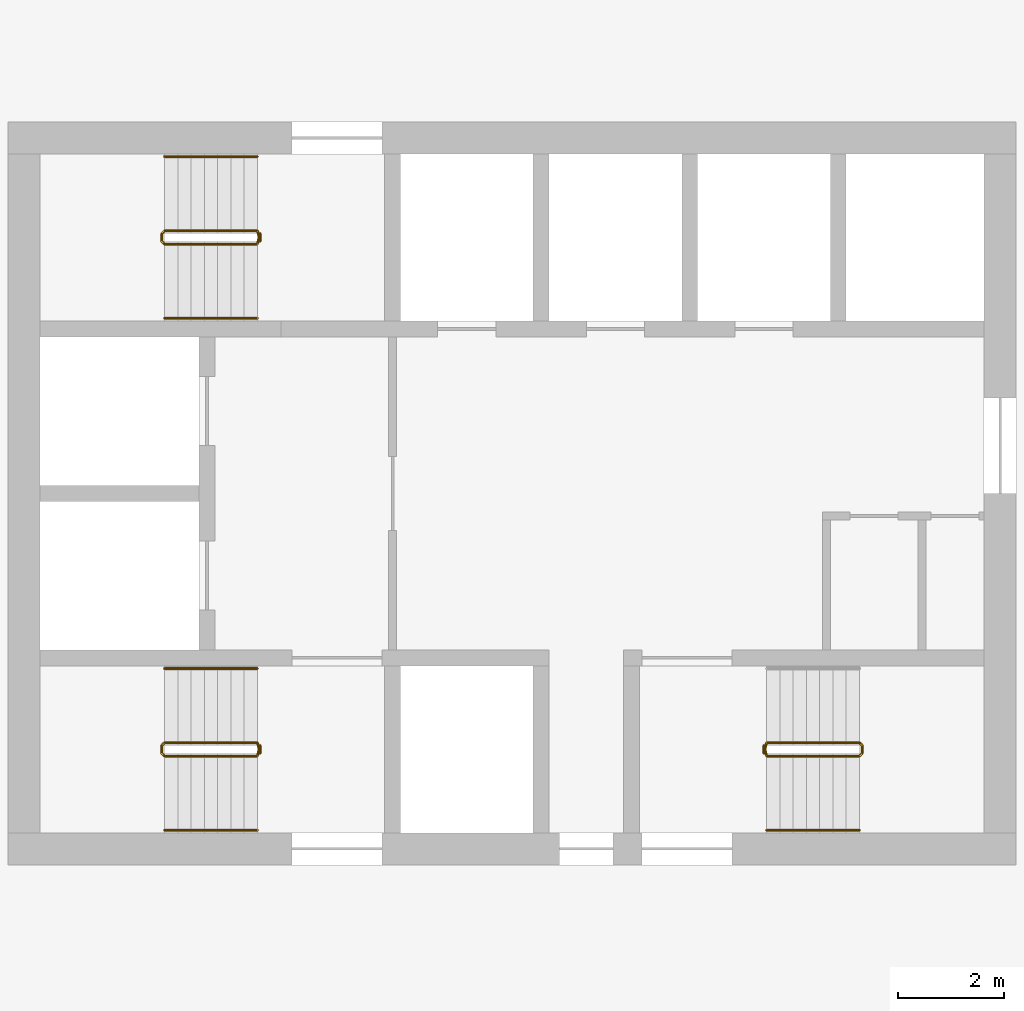
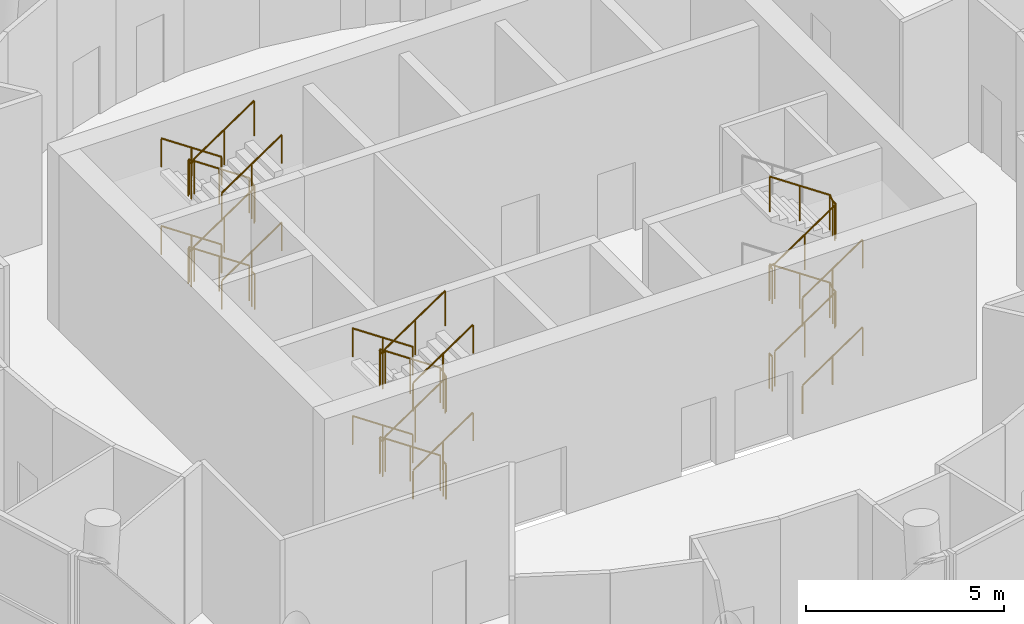
# One storey, part 10 of 11: 16 railings.
"""IFC4 building model written with IfcOpenShell, lengths in metres."""

from ifc_helpers import new_model, si_unit, direction, frame, origin, origin_2d, place, context, subcontext, project, spatial, circle, extrude, material, type_object, element, save


model = new_model("IFC4")

# Units and contexts
model_context = context("Model", 3, precision=1e-05, world=origin(), true_north=direction((0.0, 1.0)))
body_context = subcontext(model_context, "Body", "Model", "MODEL_VIEW")
ifc_project = project(units=[si_unit("LENGTHUNIT", "METRE"), si_unit("AREAUNIT", "SQUARE_METRE"), si_unit("VOLUMEUNIT", "CUBIC_METRE"), si_unit("PLANEANGLEUNIT", "RADIAN"), si_unit("MASSUNIT", "GRAM", prefix="KILO")], contexts=[model_context])

# Site, building, storey
site_placement = place(None, origin())
site = spatial("IfcSite", under=ifc_project, at=site_placement, CompositionType="ELEMENT")
building_placement = place(site_placement, origin())
building = spatial("IfcBuilding", under=site, at=building_placement, Name="Tracery Tower", CompositionType="ELEMENT")
storey_placement = place(building_placement, frame((0.0, 0.0, 330.60009765625)))
storey = spatial("IfcBuildingStorey", under=building, at=storey_placement, Name="L86", CompositionType="ELEMENT", Elevation=330.60009765625)

# Railings
ifc_material_1 = material(Name="Stainless steel and laminated glass", Category="steel")
railing_type_1 = type_object("IfcRailingType", Name="Stair guard 1100", PredefinedType="GUARDRAIL", material=ifc_material_1)
railing_1_placement = place(storey_placement, frame((-4.800048828125, -4.699951171875, 0.168701171875)))
element("IfcRailing", 1, at=railing_1_placement, inside=storey, type_object=railing_type_1, Name="L86 stair ST1 guard 1", PredefinedType="GUARDRAIL", context=body_context, shape_type="SweptSolid", body=[
    extrude(circle(Radius=0.02392578125, at=origin_2d()), frame((0.0, 0.0, 1.076171875), z_axis=(-0.828870122254, 0.0, 0.559441078608), x_axis=(0.0, -1.0, 0.0)), (0.0, 0.0, 1.0), 2.111328125),
    extrude(circle(Radius=0.02392578125, at=origin_2d()), frame((-1.75, 0.0, 2.25732421875), z_axis=(-0.707106781187, -0.707106781187, 0.0), x_axis=(0.707106781187, -0.707106781187, 0.0)), (0.0, 0.0, 1.0), 0.07080078125),
    extrude(circle(Radius=0.02392578125, at=origin_2d()), frame((-1.800048828125, -0.050048828125, 2.25732421875), z_axis=(0.0, -1.0, 0.0), x_axis=(1.0, 0.0, 0.0)), (0.0, 0.0, 1.0), 0.14990234375),
    extrude(circle(Radius=0.02392578125, at=origin_2d()), frame((-1.800048828125, -0.199951171875, 2.25732421875), z_axis=(0.273569069059, -0.273569069059, 0.922127935218), x_axis=(0.707106781187, 0.707106781187, 0.0)), (0.0, 0.0, 1.0), 0.182861328125),
    extrude(circle(Radius=0.02392578125, at=origin_2d()), frame((-1.75, -0.25, 2.42578125), z_axis=(0.828816501605, 0.0, 0.559520514965), x_axis=(0.0, 1.0, 0.0)), (0.0, 0.0, 1.0), 2.111328125),
    extrude(circle(Radius=0.02392578125, at=origin_2d()), frame((0.0, -0.25, 3.607421875), z_axis=(0.242814311512, 0.970072785993, 0.0), x_axis=(-0.970072785993, 0.242814311512, 0.0)), (0.0, 0.0, 1.0), 0.2060546875),
    extrude(circle(Radius=0.02392578125, at=origin_2d()), frame((0.050048828125, -0.050048828125, 3.607421875), z_axis=(0.0, -1.0, 0.0), x_axis=(1.0, 0.0, 0.0)), (0.0, 0.0, 1.0), 0.14990234375),
    extrude(circle(Radius=0.02392578125, at=origin_2d()), frame((0.050048828125, -0.199951171875, 3.607421875), z_axis=(-0.187902113298, 0.750691857518, 0.633367611166), x_axis=(-0.970072785993, -0.242814311512, 0.0)), (0.0, 0.0, 1.0), 0.266357421875),
    extrude(circle(Radius=0.02392578125, at=origin_2d()), frame((0.0, 0.0, 3.77587890625), z_axis=(-0.828870122254, 0.0, 0.559441078608), x_axis=(0.0, -1.0, 0.0)), (0.0, 0.0, 1.0), 2.111328125),
    extrude(circle(Radius=0.02392578125, at=origin_2d()), frame((-1.75, 0.0, 4.95703125), z_axis=(-0.707106781187, -0.707106781187, 0.0), x_axis=(0.707106781187, -0.707106781187, 0.0)), (0.0, 0.0, 1.0), 0.07080078125),
    extrude(circle(Radius=0.02392578125, at=origin_2d()), frame((-1.800048828125, -0.050048828125, 4.95703125), z_axis=(0.0, -1.0, 0.0), x_axis=(1.0, 0.0, 0.0)), (0.0, 0.0, 1.0), 0.14990234375),
    extrude(circle(Radius=0.02392578125, at=origin_2d()), frame((-1.800048828125, -0.199951171875, 4.95703125), z_axis=(0.273232802156, -0.273232802156, 0.922327312645), x_axis=(0.707106781187, 0.707106781187, 0.0)), (0.0, 0.0, 1.0), 0.18310546875),
    extrude(circle(Radius=0.02392578125, at=origin_2d()), frame((-1.75, -0.25, 5.1259765625), z_axis=(0.828870122254, 0.0, 0.559441078608), x_axis=(0.0, 1.0, 0.0)), (0.0, 0.0, 1.0), 2.111328125),
    extrude(circle(Radius=0.02099609375, at=origin_2d()), origin(), (0.0, 0.0, 1.0), 1.052001953125),
    extrude(circle(Radius=0.02099609375, at=origin_2d()), frame((-0.875, 0.0, 0.590576171875)), (0.0, 0.0, 1.0), 1.052001953125),
    extrude(circle(Radius=0.02099609375, at=origin_2d()), frame((-1.75, 0.0, 1.18115234375)), (0.0, 0.0, 1.0), 1.052001953125),
    extrude(circle(Radius=0.02099609375, at=origin_2d()), frame((-1.800048828125, -0.050048828125, 1.18115234375)), (0.0, 0.0, 1.0), 1.052001953125),
    extrude(circle(Radius=0.02099609375, at=origin_2d()), frame((-1.800048828125, -0.199951171875, 1.18115234375)), (0.0, 0.0, 1.0), 1.052001953125),
    extrude(circle(Radius=0.02099609375, at=origin_2d()), frame((-1.75, -0.25, 1.349853515625)), (0.0, 0.0, 1.0), 1.052001953125),
    extrude(circle(Radius=0.02099609375, at=origin_2d()), frame((-0.875, -0.25, 1.9404296875)), (0.0, 0.0, 1.0), 1.052001953125),
    extrude(circle(Radius=0.02099609375, at=origin_2d()), frame((0.0, -0.25, 2.53125)), (0.0, 0.0, 1.0), 1.052001953125),
    extrude(circle(Radius=0.02099609375, at=origin_2d()), frame((0.050048828125, -0.050048828125, 2.53125)), (0.0, 0.0, 1.0), 1.052001953125),
    extrude(circle(Radius=0.02099609375, at=origin_2d()), frame((0.050048828125, -0.199951171875, 2.53125)), (0.0, 0.0, 1.0), 1.052001953125),
    extrude(circle(Radius=0.02099609375, at=origin_2d()), frame((0.0, 0.0, 2.699951171875)), (0.0, 0.0, 1.0), 1.052001953125),
    extrude(circle(Radius=0.02099609375, at=origin_2d()), frame((-0.875, 0.0, 3.29052734375)), (0.0, 0.0, 1.0), 1.052001953125),
    extrude(circle(Radius=0.02099609375, at=origin_2d()), frame((-1.75, 0.0, 3.881103515625)), (0.0, 0.0, 1.0), 1.052001953125),
    extrude(circle(Radius=0.02099609375, at=origin_2d()), frame((-1.800048828125, -0.050048828125, 3.881103515625)), (0.0, 0.0, 1.0), 1.052001953125),
    extrude(circle(Radius=0.02099609375, at=origin_2d()), frame((-1.800048828125, -0.199951171875, 3.881103515625)), (0.0, 0.0, 1.0), 1.052001953125),
    extrude(circle(Radius=0.02099609375, at=origin_2d()), frame((-1.75, -0.25, 4.050048828125)), (0.0, 0.0, 1.0), 1.052001953125),
    extrude(circle(Radius=0.02099609375, at=origin_2d()), frame((-0.875, -0.25, 4.640625)), (0.0, 0.0, 1.0), 1.052001953125),
    extrude(circle(Radius=0.02099609375, at=origin_2d()), frame((0.0, -0.25, 5.231201171875)), (0.0, 0.0, 1.0), 1.052001953125),
])
railing_2_placement = place(storey_placement, frame((-4.75, -4.75, 0.0)))
element("IfcRailing", 2, at=railing_2_placement, inside=storey, type_object=railing_type_1, Name="L86 stair ST1 guard 2", PredefinedType="GUARDRAIL", context=body_context, shape_type="SweptSolid", body=[
    extrude(circle(Radius=0.02392578125, at=origin_2d()), frame((0.0, 0.0, 1.076171875), z_axis=(0.0, -1.0, 0.0), x_axis=(1.0, 0.0, 0.0)), (0.0, 0.0, 1.0), 0.14990234375),
    extrude(circle(Radius=0.02099609375, at=origin_2d()), origin(), (0.0, 0.0, 1.0), 1.052001953125),
    extrude(circle(Radius=0.02099609375, at=origin_2d()), frame((0.0, -0.14990234375, 0.0)), (0.0, 0.0, 1.0), 1.052001953125),
])
railing_3_placement = place(storey_placement, frame((-4.800048828125, 4.949951171875, 0.168701171875)))
element("IfcRailing", 3, at=railing_3_placement, inside=storey, type_object=railing_type_1, Name="L86 stair ST3 guard 1", PredefinedType="GUARDRAIL", context=body_context, shape_type="SweptSolid", body=[
    extrude(circle(Radius=0.02392578125, at=origin_2d()), frame((0.0, 0.0, 1.076171875), z_axis=(-0.828870122254, 0.0, 0.559441078608), x_axis=(0.0, -1.0, 0.0)), (0.0, 0.0, 1.0), 2.111328125),
    extrude(circle(Radius=0.02392578125, at=origin_2d()), frame((-1.75, 0.0, 2.25732421875), z_axis=(-0.707106781187, -0.707106781187, 0.0), x_axis=(0.707106781187, -0.707106781187, 0.0)), (0.0, 0.0, 1.0), 0.07080078125),
    extrude(circle(Radius=0.02392578125, at=origin_2d()), frame((-1.800048828125, -0.050048828125, 2.25732421875), z_axis=(0.0, -1.0, 0.0), x_axis=(1.0, 0.0, 0.0)), (0.0, 0.0, 1.0), 0.14990234375),
    extrude(circle(Radius=0.02392578125, at=origin_2d()), frame((-1.800048828125, -0.199951171875, 2.25732421875), z_axis=(0.273569069059, -0.273569069059, 0.922127935218), x_axis=(0.707106781187, 0.707106781187, 0.0)), (0.0, 0.0, 1.0), 0.182861328125),
    extrude(circle(Radius=0.02392578125, at=origin_2d()), frame((-1.75, -0.25, 2.42578125), z_axis=(0.828816501605, 0.0, 0.559520514965), x_axis=(0.0, 1.0, 0.0)), (0.0, 0.0, 1.0), 2.111328125),
    extrude(circle(Radius=0.02392578125, at=origin_2d()), frame((0.0, -0.25, 3.607421875), z_axis=(0.242814311512, 0.970072785993, 0.0), x_axis=(-0.970072785993, 0.242814311512, 0.0)), (0.0, 0.0, 1.0), 0.2060546875),
    extrude(circle(Radius=0.02392578125, at=origin_2d()), frame((0.050048828125, -0.050048828125, 3.607421875), z_axis=(0.0, -1.0, 0.0), x_axis=(1.0, 0.0, 0.0)), (0.0, 0.0, 1.0), 0.14990234375),
    extrude(circle(Radius=0.02392578125, at=origin_2d()), frame((0.050048828125, -0.199951171875, 3.607421875), z_axis=(-0.187902113298, 0.750691857518, 0.633367611166), x_axis=(-0.970072785993, -0.242814311512, 0.0)), (0.0, 0.0, 1.0), 0.266357421875),
    extrude(circle(Radius=0.02392578125, at=origin_2d()), frame((0.0, 0.0, 3.77587890625), z_axis=(-0.828870122254, 0.0, 0.559441078608), x_axis=(0.0, -1.0, 0.0)), (0.0, 0.0, 1.0), 2.111328125),
    extrude(circle(Radius=0.02392578125, at=origin_2d()), frame((-1.75, 0.0, 4.95703125), z_axis=(-0.707106781187, -0.707106781187, 0.0), x_axis=(0.707106781187, -0.707106781187, 0.0)), (0.0, 0.0, 1.0), 0.07080078125),
    extrude(circle(Radius=0.02392578125, at=origin_2d()), frame((-1.800048828125, -0.050048828125, 4.95703125), z_axis=(0.0, -1.0, 0.0), x_axis=(1.0, 0.0, 0.0)), (0.0, 0.0, 1.0), 0.14990234375),
    extrude(circle(Radius=0.02392578125, at=origin_2d()), frame((-1.800048828125, -0.199951171875, 4.95703125), z_axis=(0.273232802156, -0.273232802156, 0.922327312645), x_axis=(0.707106781187, 0.707106781187, 0.0)), (0.0, 0.0, 1.0), 0.18310546875),
    extrude(circle(Radius=0.02392578125, at=origin_2d()), frame((-1.75, -0.25, 5.1259765625), z_axis=(0.828870122254, 0.0, 0.559441078608), x_axis=(0.0, 1.0, 0.0)), (0.0, 0.0, 1.0), 2.111328125),
    extrude(circle(Radius=0.02099609375, at=origin_2d()), origin(), (0.0, 0.0, 1.0), 1.052001953125),
    extrude(circle(Radius=0.02099609375, at=origin_2d()), frame((-0.875, 0.0, 0.590576171875)), (0.0, 0.0, 1.0), 1.052001953125),
    extrude(circle(Radius=0.02099609375, at=origin_2d()), frame((-1.75, 0.0, 1.18115234375)), (0.0, 0.0, 1.0), 1.052001953125),
    extrude(circle(Radius=0.02099609375, at=origin_2d()), frame((-1.800048828125, -0.050048828125, 1.18115234375)), (0.0, 0.0, 1.0), 1.052001953125),
    extrude(circle(Radius=0.02099609375, at=origin_2d()), frame((-1.800048828125, -0.199951171875, 1.18115234375)), (0.0, 0.0, 1.0), 1.052001953125),
    extrude(circle(Radius=0.02099609375, at=origin_2d()), frame((-1.75, -0.25, 1.349853515625)), (0.0, 0.0, 1.0), 1.052001953125),
    extrude(circle(Radius=0.02099609375, at=origin_2d()), frame((-0.875, -0.25, 1.9404296875)), (0.0, 0.0, 1.0), 1.052001953125),
    extrude(circle(Radius=0.02099609375, at=origin_2d()), frame((0.0, -0.25, 2.53125)), (0.0, 0.0, 1.0), 1.052001953125),
    extrude(circle(Radius=0.02099609375, at=origin_2d()), frame((0.050048828125, -0.050048828125, 2.53125)), (0.0, 0.0, 1.0), 1.052001953125),
    extrude(circle(Radius=0.02099609375, at=origin_2d()), frame((0.050048828125, -0.199951171875, 2.53125)), (0.0, 0.0, 1.0), 1.052001953125),
    extrude(circle(Radius=0.02099609375, at=origin_2d()), frame((0.0, 0.0, 2.699951171875)), (0.0, 0.0, 1.0), 1.052001953125),
    extrude(circle(Radius=0.02099609375, at=origin_2d()), frame((-0.875, 0.0, 3.29052734375)), (0.0, 0.0, 1.0), 1.052001953125),
    extrude(circle(Radius=0.02099609375, at=origin_2d()), frame((-1.75, 0.0, 3.881103515625)), (0.0, 0.0, 1.0), 1.052001953125),
    extrude(circle(Radius=0.02099609375, at=origin_2d()), frame((-1.800048828125, -0.050048828125, 3.881103515625)), (0.0, 0.0, 1.0), 1.052001953125),
    extrude(circle(Radius=0.02099609375, at=origin_2d()), frame((-1.800048828125, -0.199951171875, 3.881103515625)), (0.0, 0.0, 1.0), 1.052001953125),
    extrude(circle(Radius=0.02099609375, at=origin_2d()), frame((-1.75, -0.25, 4.050048828125)), (0.0, 0.0, 1.0), 1.052001953125),
    extrude(circle(Radius=0.02099609375, at=origin_2d()), frame((-0.875, -0.25, 4.640625)), (0.0, 0.0, 1.0), 1.052001953125),
    extrude(circle(Radius=0.02099609375, at=origin_2d()), frame((0.0, -0.25, 5.231201171875)), (0.0, 0.0, 1.0), 1.052001953125),
])
railing_4_placement = place(storey_placement, frame((-4.75, 4.89990234375, 0.0)))
element("IfcRailing", 4, at=railing_4_placement, inside=storey, type_object=railing_type_1, Name="L86 stair ST3 guard 2", PredefinedType="GUARDRAIL", context=body_context, shape_type="SweptSolid", body=[
    extrude(circle(Radius=0.02392578125, at=origin_2d()), frame((0.0, 0.0, 1.076171875), z_axis=(0.0, -1.0, 0.0), x_axis=(1.0, 0.0, 0.0)), (0.0, 0.0, 1.0), 0.14990234375),
    extrude(circle(Radius=0.02099609375, at=origin_2d()), origin(), (0.0, 0.0, 1.0), 1.052001953125),
    extrude(circle(Radius=0.02099609375, at=origin_2d()), frame((0.0, -0.14990234375, 0.0)), (0.0, 0.0, 1.0), 1.052001953125),
])
railing_5_placement = place(storey_placement, frame((4.800048828125, -4.949951171875, 0.168701171875)))
element("IfcRailing", 5, at=railing_5_placement, inside=storey, type_object=railing_type_1, Name="L86 stair ST2 guard 1", PredefinedType="GUARDRAIL", context=body_context, shape_type="SweptSolid", body=[
    extrude(circle(Radius=0.02392578125, at=origin_2d()), frame((0.0, 0.0, 1.076171875), z_axis=(0.828870122254, 0.0, 0.559441078608), x_axis=(0.0, 1.0, 0.0)), (0.0, 0.0, 1.0), 2.111328125),
    extrude(circle(Radius=0.02392578125, at=origin_2d()), frame((1.75, 0.0, 2.25732421875), z_axis=(0.707106781187, 0.707106781187, 0.0), x_axis=(-0.707106781187, 0.707106781187, 0.0)), (0.0, 0.0, 1.0), 0.07080078125),
    extrude(circle(Radius=0.02392578125, at=origin_2d()), frame((1.800048828125, 0.050048828125, 2.25732421875), z_axis=(0.0, 1.0, 0.0), x_axis=(-1.0, 0.0, 0.0)), (0.0, 0.0, 1.0), 0.14990234375),
    extrude(circle(Radius=0.02392578125, at=origin_2d()), frame((1.800048828125, 0.199951171875, 2.25732421875), z_axis=(-0.273569069059, 0.273569069059, 0.922127935218), x_axis=(-0.707106781187, -0.707106781187, 0.0)), (0.0, 0.0, 1.0), 0.182861328125),
    extrude(circle(Radius=0.02392578125, at=origin_2d()), frame((1.75, 0.25, 2.42578125), z_axis=(-0.828816501605, 0.0, 0.559520514965), x_axis=(0.0, -1.0, 0.0)), (0.0, 0.0, 1.0), 2.111328125),
    extrude(circle(Radius=0.02392578125, at=origin_2d()), frame((0.0, 0.25, 3.607421875), z_axis=(-0.242814311512, -0.970072785993, 0.0), x_axis=(0.970072785993, -0.242814311512, 0.0)), (0.0, 0.0, 1.0), 0.2060546875),
    extrude(circle(Radius=0.02392578125, at=origin_2d()), frame((-0.050048828125, 0.050048828125, 3.607421875), z_axis=(0.0, 1.0, 0.0), x_axis=(-1.0, 0.0, 0.0)), (0.0, 0.0, 1.0), 0.14990234375),
    extrude(circle(Radius=0.02392578125, at=origin_2d()), frame((-0.050048828125, 0.199951171875, 3.607421875), z_axis=(0.187902113298, -0.750691857518, 0.633367611166), x_axis=(0.970072785993, 0.242814311512, 0.0)), (0.0, 0.0, 1.0), 0.266357421875),
    extrude(circle(Radius=0.02392578125, at=origin_2d()), frame((0.0, 0.0, 3.77587890625), z_axis=(0.828870122254, 0.0, 0.559441078608), x_axis=(0.0, 1.0, 0.0)), (0.0, 0.0, 1.0), 2.111328125),
    extrude(circle(Radius=0.02392578125, at=origin_2d()), frame((1.75, 0.0, 4.95703125), z_axis=(0.707106781187, 0.707106781187, 0.0), x_axis=(-0.707106781187, 0.707106781187, 0.0)), (0.0, 0.0, 1.0), 0.07080078125),
    extrude(circle(Radius=0.02392578125, at=origin_2d()), frame((1.800048828125, 0.050048828125, 4.95703125), z_axis=(0.0, 1.0, 0.0), x_axis=(-1.0, 0.0, 0.0)), (0.0, 0.0, 1.0), 0.14990234375),
    extrude(circle(Radius=0.02392578125, at=origin_2d()), frame((1.800048828125, 0.199951171875, 4.95703125), z_axis=(-0.273232802156, 0.273232802156, 0.922327312645), x_axis=(-0.707106781187, -0.707106781187, 0.0)), (0.0, 0.0, 1.0), 0.18310546875),
    extrude(circle(Radius=0.02392578125, at=origin_2d()), frame((1.75, 0.25, 5.1259765625), z_axis=(-0.828870122254, 0.0, 0.559441078608), x_axis=(0.0, -1.0, 0.0)), (0.0, 0.0, 1.0), 2.111328125),
    extrude(circle(Radius=0.02099609375, at=origin_2d()), origin(), (0.0, 0.0, 1.0), 1.052001953125),
    extrude(circle(Radius=0.02099609375, at=origin_2d()), frame((0.875, 0.0, 0.590576171875)), (0.0, 0.0, 1.0), 1.052001953125),
    extrude(circle(Radius=0.02099609375, at=origin_2d()), frame((1.75, 0.0, 1.18115234375)), (0.0, 0.0, 1.0), 1.052001953125),
    extrude(circle(Radius=0.02099609375, at=origin_2d()), frame((1.800048828125, 0.050048828125, 1.18115234375)), (0.0, 0.0, 1.0), 1.052001953125),
    extrude(circle(Radius=0.02099609375, at=origin_2d()), frame((1.800048828125, 0.199951171875, 1.18115234375)), (0.0, 0.0, 1.0), 1.052001953125),
    extrude(circle(Radius=0.02099609375, at=origin_2d()), frame((1.75, 0.25, 1.349853515625)), (0.0, 0.0, 1.0), 1.052001953125),
    extrude(circle(Radius=0.02099609375, at=origin_2d()), frame((0.875, 0.25, 1.9404296875)), (0.0, 0.0, 1.0), 1.052001953125),
    extrude(circle(Radius=0.02099609375, at=origin_2d()), frame((0.0, 0.25, 2.53125)), (0.0, 0.0, 1.0), 1.052001953125),
    extrude(circle(Radius=0.02099609375, at=origin_2d()), frame((-0.050048828125, 0.050048828125, 2.53125)), (0.0, 0.0, 1.0), 1.052001953125),
    extrude(circle(Radius=0.02099609375, at=origin_2d()), frame((-0.050048828125, 0.199951171875, 2.53125)), (0.0, 0.0, 1.0), 1.052001953125),
    extrude(circle(Radius=0.02099609375, at=origin_2d()), frame((0.0, 0.0, 2.699951171875)), (0.0, 0.0, 1.0), 1.052001953125),
    extrude(circle(Radius=0.02099609375, at=origin_2d()), frame((0.875, 0.0, 3.29052734375)), (0.0, 0.0, 1.0), 1.052001953125),
    extrude(circle(Radius=0.02099609375, at=origin_2d()), frame((1.75, 0.0, 3.881103515625)), (0.0, 0.0, 1.0), 1.052001953125),
    extrude(circle(Radius=0.02099609375, at=origin_2d()), frame((1.800048828125, 0.050048828125, 3.881103515625)), (0.0, 0.0, 1.0), 1.052001953125),
    extrude(circle(Radius=0.02099609375, at=origin_2d()), frame((1.800048828125, 0.199951171875, 3.881103515625)), (0.0, 0.0, 1.0), 1.052001953125),
    extrude(circle(Radius=0.02099609375, at=origin_2d()), frame((1.75, 0.25, 4.050048828125)), (0.0, 0.0, 1.0), 1.052001953125),
    extrude(circle(Radius=0.02099609375, at=origin_2d()), frame((0.875, 0.25, 4.640625)), (0.0, 0.0, 1.0), 1.052001953125),
    extrude(circle(Radius=0.02099609375, at=origin_2d()), frame((0.0, 0.25, 5.231201171875)), (0.0, 0.0, 1.0), 1.052001953125),
])
railing_6_placement = place(storey_placement, frame((4.75, -4.89990234375, 0.0)))
element("IfcRailing", 6, at=railing_6_placement, inside=storey, type_object=railing_type_1, Name="L86 stair ST2 guard 2", PredefinedType="GUARDRAIL", context=body_context, shape_type="SweptSolid", body=[
    extrude(circle(Radius=0.02392578125, at=origin_2d()), frame((0.0, 0.0, 1.076171875), z_axis=(0.0, 1.0, 0.0), x_axis=(-1.0, 0.0, 0.0)), (0.0, 0.0, 1.0), 0.14990234375),
    extrude(circle(Radius=0.02099609375, at=origin_2d()), origin(), (0.0, 0.0, 1.0), 1.052001953125),
    extrude(circle(Radius=0.02099609375, at=origin_2d()), frame((0.0, 0.14990234375, 0.0)), (0.0, 0.0, 1.0), 1.052001953125),
])
ifc_material_2 = material(Name="Stainless steel and laminated glass", Category="steel")
railing_type_2 = type_object("IfcRailingType", Name="Stair handrail 900", PredefinedType="HANDRAIL", material=ifc_material_2)
railing_7_placement = place(storey_placement, frame((-4.800048828125, -3.300048828125, 0.168701171875)))
element("IfcRailing", 7, at=railing_7_placement, inside=storey, type_object=railing_type_2, Name="L86 stair ST1 handrail 1", PredefinedType="HANDRAIL", context=body_context, shape_type="SweptSolid", body=[
    extrude(circle(Radius=0.02392578125, at=origin_2d()), frame((0.0, 0.0, 0.8759765625), z_axis=(-0.828870122254, 0.0, 0.559441078608), x_axis=(0.0, -1.0, 0.0)), (0.0, 0.0, 1.0), 2.111328125),
    extrude(circle(Radius=0.02099609375, at=origin_2d()), origin(), (0.0, 0.0, 1.0), 0.851806640625),
    extrude(circle(Radius=0.02099609375, at=origin_2d()), frame((-0.875, 0.0, 0.590576171875)), (0.0, 0.0, 1.0), 0.851806640625),
    extrude(circle(Radius=0.02099609375, at=origin_2d()), frame((-1.75, 0.0, 1.18115234375)), (0.0, 0.0, 1.0), 0.851806640625),
])
railing_8_placement = place(storey_placement, frame((-6.550048828125, -6.35009765625, 1.5185546875)))
element("IfcRailing", 8, at=railing_8_placement, inside=storey, type_object=railing_type_2, Name="L86 stair ST1 handrail 2", PredefinedType="HANDRAIL", context=body_context, shape_type="SweptSolid", body=[
    extrude(circle(Radius=0.02392578125, at=origin_2d()), frame((0.0, 0.0, 0.8759765625), z_axis=(0.828816501605, 0.0, 0.559520514965), x_axis=(0.0, 1.0, 0.0)), (0.0, 0.0, 1.0), 2.111328125),
    extrude(circle(Radius=0.02099609375, at=origin_2d()), origin(), (0.0, 0.0, 1.0), 0.851806640625),
    extrude(circle(Radius=0.02099609375, at=origin_2d()), frame((0.875, 0.0, 0.5908203125)), (0.0, 0.0, 1.0), 0.851806640625),
    extrude(circle(Radius=0.02099609375, at=origin_2d()), frame((1.75, 0.0, 1.181396484375)), (0.0, 0.0, 1.0), 0.851806640625),
])
railing_9_placement = place(storey_placement, frame((-4.800048828125, -3.300048828125, 2.86865234375)))
element("IfcRailing", 9, at=railing_9_placement, inside=storey, type_object=railing_type_2, Name="L86 stair ST1 handrail 3", PredefinedType="HANDRAIL", context=body_context, shape_type="SweptSolid", body=[
    extrude(circle(Radius=0.02392578125, at=origin_2d()), frame((0.0, 0.0, 0.8759765625), z_axis=(-0.828870122254, 0.0, 0.559441078608), x_axis=(0.0, -1.0, 0.0)), (0.0, 0.0, 1.0), 2.111328125),
    extrude(circle(Radius=0.02099609375, at=origin_2d()), origin(), (0.0, 0.0, 1.0), 0.851806640625),
    extrude(circle(Radius=0.02099609375, at=origin_2d()), frame((-0.875, 0.0, 0.590576171875)), (0.0, 0.0, 1.0), 0.851806640625),
    extrude(circle(Radius=0.02099609375, at=origin_2d()), frame((-1.75, 0.0, 1.18115234375)), (0.0, 0.0, 1.0), 0.851806640625),
])
railing_10_placement = place(storey_placement, frame((-6.550048828125, -6.35009765625, 4.21875)))
element("IfcRailing", 10, at=railing_10_placement, inside=storey, type_object=railing_type_2, Name="L86 stair ST1 handrail 4", PredefinedType="HANDRAIL", context=body_context, shape_type="SweptSolid", body=[
    extrude(circle(Radius=0.02392578125, at=origin_2d()), frame((0.0, 0.0, 0.8759765625), z_axis=(0.828870122254, 0.0, 0.559441078608), x_axis=(0.0, 1.0, 0.0)), (0.0, 0.0, 1.0), 2.111328125),
    extrude(circle(Radius=0.02099609375, at=origin_2d()), origin(), (0.0, 0.0, 1.0), 0.851806640625),
    extrude(circle(Radius=0.02099609375, at=origin_2d()), frame((0.875, 0.0, 0.590576171875)), (0.0, 0.0, 1.0), 0.851806640625),
    extrude(circle(Radius=0.02099609375, at=origin_2d()), frame((1.75, 0.0, 1.18115234375)), (0.0, 0.0, 1.0), 0.851806640625),
])
railing_11_placement = place(storey_placement, frame((-4.800048828125, 6.35009765625, 0.168701171875)))
element("IfcRailing", 11, at=railing_11_placement, inside=storey, type_object=railing_type_2, Name="L86 stair ST3 handrail 1", PredefinedType="HANDRAIL", context=body_context, shape_type="SweptSolid", body=[
    extrude(circle(Radius=0.02392578125, at=origin_2d()), frame((0.0, 0.0, 0.8759765625), z_axis=(-0.828870122254, 0.0, 0.559441078608), x_axis=(0.0, -1.0, 0.0)), (0.0, 0.0, 1.0), 2.111328125),
    extrude(circle(Radius=0.02099609375, at=origin_2d()), origin(), (0.0, 0.0, 1.0), 0.851806640625),
    extrude(circle(Radius=0.02099609375, at=origin_2d()), frame((-0.875, 0.0, 0.590576171875)), (0.0, 0.0, 1.0), 0.851806640625),
    extrude(circle(Radius=0.02099609375, at=origin_2d()), frame((-1.75, 0.0, 1.18115234375)), (0.0, 0.0, 1.0), 0.851806640625),
])
railing_12_placement = place(storey_placement, frame((-6.550048828125, 3.300048828125, 1.5185546875)))
element("IfcRailing", 12, at=railing_12_placement, inside=storey, type_object=railing_type_2, Name="L86 stair ST3 handrail 2", PredefinedType="HANDRAIL", context=body_context, shape_type="SweptSolid", body=[
    extrude(circle(Radius=0.02392578125, at=origin_2d()), frame((0.0, 0.0, 0.8759765625), z_axis=(0.828816501605, 0.0, 0.559520514965), x_axis=(0.0, 1.0, 0.0)), (0.0, 0.0, 1.0), 2.111328125),
    extrude(circle(Radius=0.02099609375, at=origin_2d()), origin(), (0.0, 0.0, 1.0), 0.851806640625),
    extrude(circle(Radius=0.02099609375, at=origin_2d()), frame((0.875, 0.0, 0.5908203125)), (0.0, 0.0, 1.0), 0.851806640625),
    extrude(circle(Radius=0.02099609375, at=origin_2d()), frame((1.75, 0.0, 1.181396484375)), (0.0, 0.0, 1.0), 0.851806640625),
])
railing_13_placement = place(storey_placement, frame((-4.800048828125, 6.35009765625, 2.86865234375)))
element("IfcRailing", 13, at=railing_13_placement, inside=storey, type_object=railing_type_2, Name="L86 stair ST3 handrail 3", PredefinedType="HANDRAIL", context=body_context, shape_type="SweptSolid", body=[
    extrude(circle(Radius=0.02392578125, at=origin_2d()), frame((0.0, 0.0, 0.8759765625), z_axis=(-0.828870122254, 0.0, 0.559441078608), x_axis=(0.0, -1.0, 0.0)), (0.0, 0.0, 1.0), 2.111328125),
    extrude(circle(Radius=0.02099609375, at=origin_2d()), origin(), (0.0, 0.0, 1.0), 0.851806640625),
    extrude(circle(Radius=0.02099609375, at=origin_2d()), frame((-0.875, 0.0, 0.590576171875)), (0.0, 0.0, 1.0), 0.851806640625),
    extrude(circle(Radius=0.02099609375, at=origin_2d()), frame((-1.75, 0.0, 1.18115234375)), (0.0, 0.0, 1.0), 0.851806640625),
])
for number, where, name in (
    (14, (-6.550048828125, 3.300048828125, 4.21875), "L86 stair ST3 handrail 4"),
    (15, (4.800048828125, -6.35009765625, 0.168701171875), "L86 stair ST2 handrail 1"),
    (16, (4.800048828125, -6.35009765625, 2.86865234375), "L86 stair ST2 handrail 3"),
):
    element("IfcRailing", number, at=place(storey_placement, frame(where)), inside=storey, type_object=railing_type_2, Name=name, PredefinedType="HANDRAIL", context=body_context, shape_type="SweptSolid", body=[
        extrude(circle(Radius=0.02392578125, at=origin_2d()), frame((0.0, 0.0, 0.8759765625), z_axis=(0.828870122254, 0.0, 0.559441078608), x_axis=(0.0, 1.0, 0.0)), (0.0, 0.0, 1.0), 2.111328125),
        extrude(circle(Radius=0.02099609375, at=origin_2d()), origin(), (0.0, 0.0, 1.0), 0.851806640625),
        extrude(circle(Radius=0.02099609375, at=origin_2d()), frame((0.875, 0.0, 0.590576171875)), (0.0, 0.0, 1.0), 0.851806640625),
        extrude(circle(Radius=0.02099609375, at=origin_2d()), frame((1.75, 0.0, 1.18115234375)), (0.0, 0.0, 1.0), 0.851806640625),
    ])

save(model, "model.ifc")
